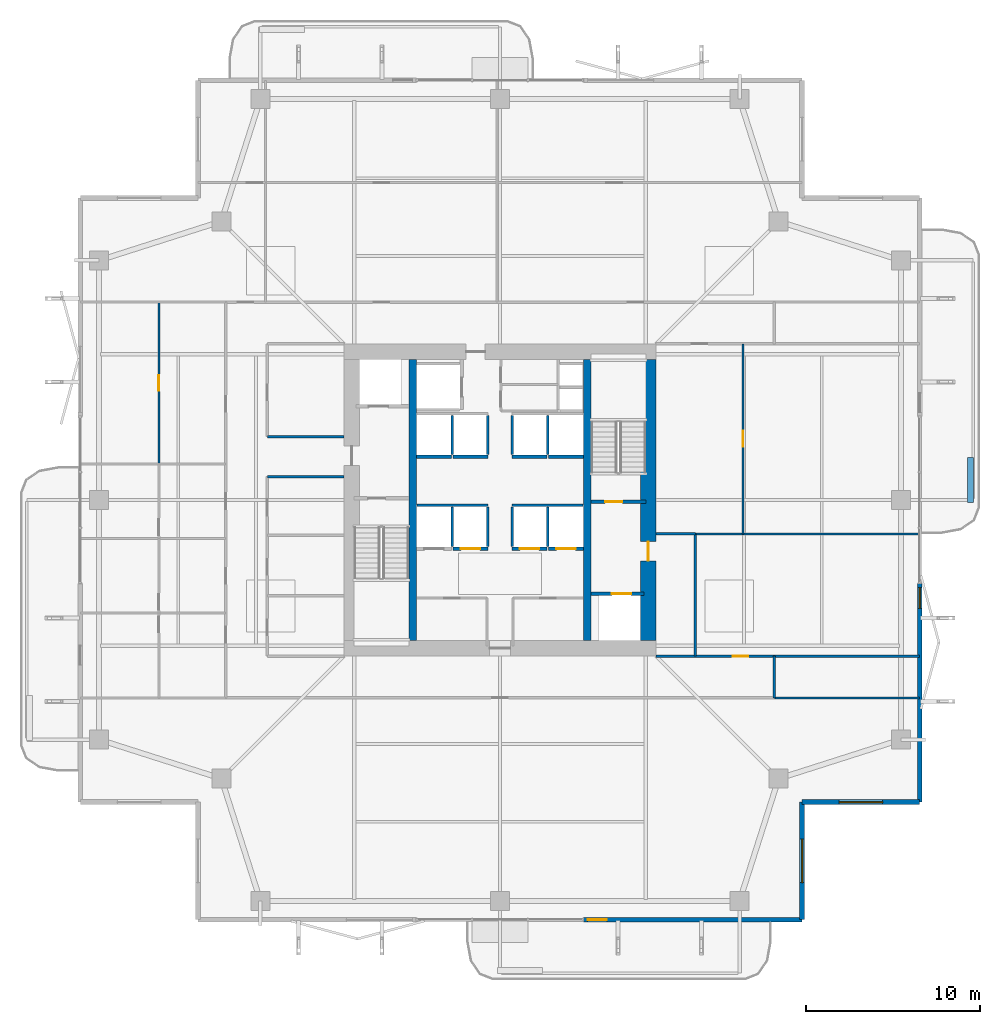
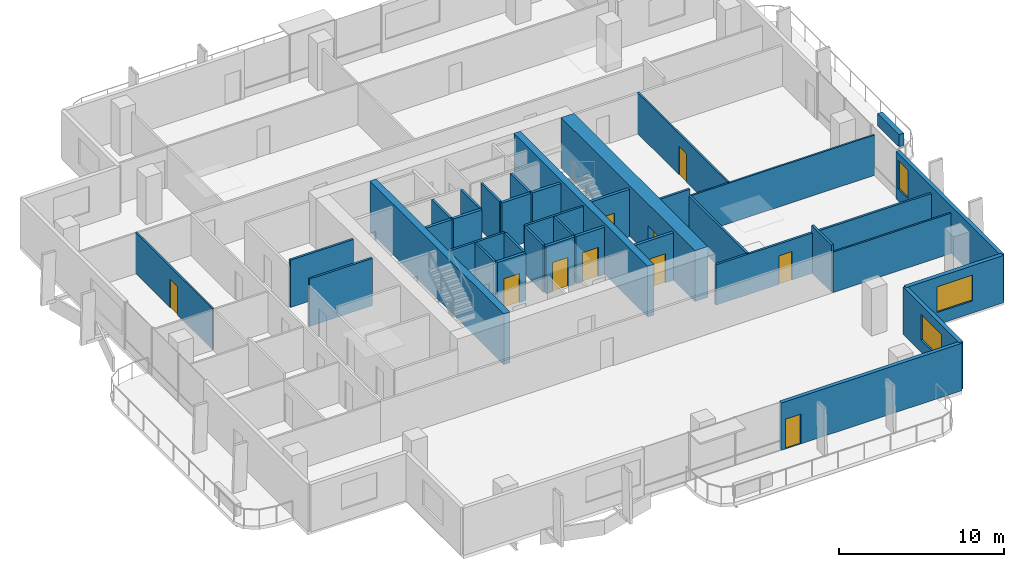
# One storey, part 19 of 25: 37 walls, 10 doors, 3 windows, 13 openings.
"""IFC4 building model written with IfcOpenShell, lengths in metres."""

from ifc_helpers import new_model, si_unit, direction, frame, frame_2d, origin, place, context, subcontext, project, spatial, rectangle, extrude, material, layer, layer_set, type_object, element, fill, save


model = new_model("IFC4")

# Units and contexts
model_context = context("Model", 3, precision=1e-05, world=origin(), true_north=direction((0.0, 1.0)))
body_context = subcontext(model_context, "Body", "Model", "MODEL_VIEW")
ifc_project = project(units=[si_unit("LENGTHUNIT", "METRE"), si_unit("AREAUNIT", "SQUARE_METRE"), si_unit("VOLUMEUNIT", "CUBIC_METRE"), si_unit("PLANEANGLEUNIT", "RADIAN"), si_unit("MASSUNIT", "GRAM", prefix="KILO")], contexts=[model_context])

# Site, building, storey
site_placement = place(None, origin())
site = spatial("IfcSite", under=ifc_project, at=site_placement, CompositionType="ELEMENT")
building_placement = place(site_placement, origin())
building = spatial("IfcBuilding", under=site, at=building_placement, Name="Belovzor Exchange Tower", CompositionType="ELEMENT")
storey_placement = place(building_placement, frame((0.0, 0.0, 153.300048828125)))
storey = spatial("IfcBuildingStorey", under=building, at=storey_placement, Name="L37", CompositionType="ELEMENT", Elevation=153.300048828125)

# Wall, opening, door
ifc_material_1 = material(Name="Acoustic Plasterboard on Galvanised Studs", Category="gypsum")
ifc_layer_1 = layer(ifc_material_1, 0.1201171875)
ifc_layer_set_1 = layer_set([ifc_layer_1], Name="Acoustic Plasterboard on Galvanised Studs")
wall_type_1 = type_object("IfcWallType", Name="Acoustic Double-Stud Partition Wall 120", PredefinedType="PARTITIONING", material=ifc_layer_set_1)
wall_1_placement = place(storey_placement, frame((9.14990234375, 30.876953125, 0.0), z_axis=(0.0, 0.0, 1.0), x_axis=(0.0, 1.0, 0.0)))
wall_1 = element("IfcWall", 1, at=wall_1_placement, inside=storey, type_object=wall_type_1, Name="W-P120 Partition Wall W-L37-WHDIV-3", PredefinedType="PARTITIONING", context=body_context, shape_type="SweptSolid", body=[
    extrude(rectangle(XDim=9.322998046875, YDim=0.1201171875, at=frame_2d((4.66162109375, 0.0))), origin(), (0.0, 0.0, 1.0), 3.030029296875),
])
opening_1_placement = place(wall_1_placement, frame((4.2119140625, 0.0, 0.0)))
opening_1 = element("IfcOpeningElement", 2, at=opening_1_placement, cuts=wall_1, Name="Opening D-INT-090", PredefinedType="OPENING", context=body_context, shape_type="SweptSolid", body=[
    extrude(rectangle(XDim=0.89990234375, YDim=2.10009765625, at=frame_2d((0.449951171875, 1.050048828125))), frame((0.0, 0.070068359375, 0.0), z_axis=(0.0, -1.0, 0.0), x_axis=(1.0, 0.0, 0.0)), (0.0, 0.0, 1.0), 0.14013671875),
])
ifc_material_2 = material(Name="Veneered Hardwood Acoustic Leaf", Category="wood")
door_type_1 = type_object("IfcDoorType", Name="Trading Suite Acoustic Single Door 900x2100", OperationType="NOTDEFINED", PredefinedType="DOOR", material=ifc_material_2)
door_1_placement = place(opening_1_placement, origin())
door_1 = element("IfcDoor", 3, at=door_1_placement, inside=storey, type_object=door_type_1, Name="D-INT-090 Trading Suite Acoustic Single Door 900x2100", OperationType="SINGLE_SWING_LEFT", OverallHeight=2.10009765625, OverallWidth=0.89990234375, PredefinedType="DOOR", context=body_context, shape_type="SweptSolid", body=[
    extrude(rectangle(XDim=0.89990234375, YDim=2.10009765625, at=frame_2d((0.449951171875, 1.050048828125))), frame((0.0, 0.02490234375, 0.0), z_axis=(0.0, -1.0, 0.0), x_axis=(1.0, 0.0, 0.0)), (0.0, 0.0, 1.0), 0.050048828125),
])
fill(opening_1, door_1)

# Wall
wall_2_placement = place(storey_placement, frame((40.050048828125, 26.85009765625, 0.0), z_axis=(0.0, 0.0, 1.0), x_axis=(1.0, 0.0, 0.0)))
element("IfcWall", 4, at=wall_2_placement, inside=storey, type_object=wall_type_1, Name="W-P120 Partition Wall W-L37-EDIV-1", PredefinedType="PARTITIONING", context=body_context, shape_type="SweptSolid", body=[
    extrude(rectangle(XDim=12.919921875, YDim=0.1201171875, at=frame_2d((6.4599609375, 0.0))), origin(), (0.0, 0.0, 1.0), 2.97998046875),
])

# Wall, opening, door
wall_3_placement = place(storey_placement, frame((42.800048828125, 26.85009765625, 0.0), z_axis=(0.0, 0.0, 1.0), x_axis=(0.0, 1.0, 0.0)))
wall_3 = element("IfcWall", 5, at=wall_3_placement, inside=storey, type_object=wall_type_1, Name="W-P120 Partition Wall W-L37-EDIV-2", PredefinedType="PARTITIONING", context=body_context, shape_type="SweptSolid", body=[
    extrude(rectangle(XDim=10.949951171875, YDim=0.1201171875, at=frame_2d((5.47509765625, 0.0))), origin(), (0.0, 0.0, 1.0), 3.030029296875),
])
opening_2_placement = place(wall_3_placement, frame((5.02490234375, 0.0, 0.0)))
opening_2 = element("IfcOpeningElement", 6, at=opening_2_placement, cuts=wall_3, Name="Opening D-INT-090", PredefinedType="OPENING", context=body_context, shape_type="SweptSolid", body=[
    extrude(rectangle(XDim=0.89990234375, YDim=2.10009765625, at=frame_2d((0.449951171875, 1.050048828125))), frame((0.0, 0.070068359375, 0.0), z_axis=(0.0, -1.0, 0.0), x_axis=(1.0, 0.0, 0.0)), (0.0, 0.0, 1.0), 0.14013671875),
])
door_2_placement = place(opening_2_placement, origin())
door_2 = element("IfcDoor", 7, at=door_2_placement, inside=storey, type_object=door_type_1, Name="D-INT-090 Trading Suite Acoustic Single Door 900x2100", OperationType="SINGLE_SWING_RIGHT", OverallHeight=2.10009765625, OverallWidth=0.89990234375, PredefinedType="DOOR", context=body_context, shape_type="SweptSolid", body=[
    extrude(rectangle(XDim=0.89990234375, YDim=2.10009765625, at=frame_2d((0.449951171875, 1.050048828125))), frame((0.0, 0.02490234375, 0.0), z_axis=(0.0, -1.0, 0.0), x_axis=(1.0, 0.0, 0.0)), (0.0, 0.0, 1.0), 0.050048828125),
])
fill(opening_2, door_2)

# Walls
wall_4_placement = place(storey_placement, frame((44.60009765625, 17.39990234375, 0.0), z_axis=(0.0, 0.0, 1.0), x_axis=(1.0, 0.0, 0.0)))
element("IfcWall", 8, at=wall_4_placement, inside=storey, type_object=wall_type_1, Name="W-P120 Partition Wall W-L37-END-SE", PredefinedType="PARTITIONING", context=body_context, shape_type="SweptSolid", body=[
    extrude(rectangle(XDim=8.369873046875, YDim=0.1201171875, at=frame_2d((4.18505859375, 0.0))), origin(), (0.0, 0.0, 1.0), 2.97998046875),
])
ifc_material_3 = material(Name="Fire-Rated Gypsum Block and Mineral Wool", Category="gypsum")
ifc_layer_2 = layer(ifc_material_3, 0.14990234375)
ifc_layer_set_2 = layer_set([ifc_layer_2], Name="Fire-Rated Gypsum Block and Mineral Wool")
wall_type_2 = type_object("IfcWallType", Name="Fire-Rated Gypsum Block Corridor Wall 150", PredefinedType="PARTITIONING", material=ifc_layer_set_2)
for number, where, z_axis, x_axis, name in (
    (9, (15.39990234375, 30.14990234375, 0.0), (0.0, 0.0, 1.0), (1.0, 0.0, 0.0), "W-P150 Partition Wall W-L37-WIC-N"),
    (10, (15.39990234375, 32.449951171875, 0.0), (0.0, 0.0, 1.0), (1.0, 0.0, 0.0), "W-P150 Partition Wall W-L37-CFW-N"),
):
    element("IfcWall", number, at=place(storey_placement, frame(where, z_axis=z_axis, x_axis=x_axis)), inside=storey, type_object=wall_type_2, Name=name, PredefinedType="PARTITIONING", context=body_context, shape_type="SweptSolid", body=[
        extrude(rectangle(XDim=4.400146484375, YDim=0.14990234375, at=frame_2d((2.2001953125, 0.0))), origin(), (0.0, 0.0, 1.0), 3.494873046875),
    ])
wall_5_placement = place(storey_placement, frame((37.800048828125, 26.85009765625, 0.0), z_axis=(0.0, 0.0, 1.0), x_axis=(1.0, 0.0, 0.0)))
element("IfcWall", 11, at=wall_5_placement, inside=storey, type_object=wall_type_2, Name="W-P150 Partition Wall W-L37-CFE-N", PredefinedType="PARTITIONING", context=body_context, shape_type="SweptSolid", body=[
    extrude(rectangle(XDim=2.25, YDim=0.14990234375, at=frame_2d((1.125, 0.0))), origin(), (0.0, 0.0, 1.0), 3.494873046875),
])
wall_6_placement = place(storey_placement, frame((40.050048828125, 19.800048828125, 0.0), z_axis=(0.0, 0.0, 1.0), x_axis=(0.0, 1.0, 0.0)))
element("IfcWall", 12, at=wall_6_placement, inside=storey, type_object=wall_type_2, Name="W-P150 Partition Wall W-L37-CFE-E", PredefinedType="PARTITIONING", context=body_context, shape_type="SweptSolid", body=[
    extrude(rectangle(XDim=7.050048828125, YDim=0.14990234375, at=frame_2d((3.52490234375, 0.0))), origin(), (0.0, 0.0, 1.0), 3.030029296875),
])
wall_7_placement = place(storey_placement, frame((44.60009765625, 17.39990234375, 0.0), z_axis=(0.0, 0.0, 1.0), x_axis=(0.0, 1.0, 0.0)))
element("IfcWall", 13, at=wall_7_placement, inside=storey, type_object=wall_type_2, Name="W-P150 Partition Wall W-L37-END-ES", PredefinedType="PARTITIONING", context=body_context, shape_type="SweptSolid", body=[
    extrude(rectangle(XDim=2.400146484375, YDim=0.14990234375, at=frame_2d((1.2001953125, 0.0))), origin(), (0.0, 0.0, 1.0), 3.494873046875),
])

# Wall, opening, door
wall_8_placement = place(storey_placement, frame((37.800048828125, 19.800048828125, 0.0), z_axis=(0.0, 0.0, 1.0), x_axis=(1.0, 0.0, 0.0)))
wall_8 = element("IfcWall", 14, at=wall_8_placement, inside=storey, type_object=wall_type_2, Name="W-P150 Partition Wall W-L37-CS-IN", PredefinedType="PARTITIONING", context=body_context, shape_type="SweptSolid", body=[
    extrude(rectangle(XDim=15.169921875, YDim=0.14990234375, at=frame_2d((7.5849609375, 0.0))), origin(), (0.0, 0.0, 1.0), 2.97998046875),
])
opening_3_placement = place(wall_8_placement, frame((4.39990234375, 0.0, 0.0)))
opening_3 = element("IfcOpeningElement", 15, at=opening_3_placement, cuts=wall_8, Name="Opening D-INT-090", PredefinedType="OPENING", context=body_context, shape_type="SweptSolid", body=[
    extrude(rectangle(XDim=0.89990234375, YDim=2.10009765625, at=frame_2d((0.449951171875, 1.050048828125))), frame((0.0, 0.0849609375, 0.0), z_axis=(0.0, -1.0, 0.0), x_axis=(1.0, 0.0, 0.0)), (0.0, 0.0, 1.0), 0.169921875),
])
door_3_placement = place(opening_3_placement, origin())
door_3 = element("IfcDoor", 16, at=door_3_placement, inside=storey, type_object=door_type_1, Name="D-INT-090 Trading Suite Acoustic Single Door 900x2100", OperationType="SINGLE_SWING_LEFT", OverallHeight=2.10009765625, OverallWidth=0.89990234375, PredefinedType="DOOR", context=body_context, shape_type="SweptSolid", body=[
    extrude(rectangle(XDim=0.89990234375, YDim=2.10009765625, at=frame_2d((0.449951171875, 1.050048828125))), frame((0.0, 0.02490234375, 0.0), z_axis=(0.0, -1.0, 0.0), x_axis=(1.0, 0.0, 0.0)), (0.0, 0.0, 1.0), 0.050048828125),
])
fill(opening_3, door_3)

# Wall, opening, window
ifc_material_4 = material(Name="Precast concrete C40/50", Category="concrete")
ifc_layer_3 = layer(ifc_material_4, 0.280029296875)
ifc_layer_set_3 = layer_set([ifc_layer_3], Name="Precast concrete C40/50")
wall_type_3 = type_object("IfcWallType", Name="Precast Concrete Notched Corner Frame Wall 280", PredefinedType="SOLIDWALL", material=ifc_layer_set_3)
wall_9_placement = place(storey_placement, frame((52.969970703125, 11.39990234375, 0.0), z_axis=(0.0, 0.0, 1.0), x_axis=(-1.0, 0.0, 0.0)))
wall_9 = element("IfcWall", 17, at=wall_9_placement, inside=storey, type_object=wall_type_3, Name="W-CRN280 Precast Concrete Notched Corner Frame Wall 280 L37", PredefinedType="SOLIDWALL", context=body_context, shape_type="SweptSolid", body=[
    extrude(rectangle(XDim=6.77001953125, YDim=0.280029296875, at=frame_2d((3.385009765625, 0.0))), origin(), (0.0, 0.0, 1.0), 3.494873046875),
])
opening_4_placement = place(wall_9_placement, frame((2.135009765625, 0.0, 0.89990234375)))
opening_4 = element("IfcOpeningElement", 18, at=opening_4_placement, cuts=wall_9, Name="Opening WN-CRN250", PredefinedType="OPENING", context=body_context, shape_type="SweptSolid", body=[
    extrude(rectangle(XDim=2.5, YDim=1.89990234375, at=frame_2d((1.25, 0.949951171875))), frame((0.0, 0.14990234375, 0.0), z_axis=(0.0, -1.0, 0.0), x_axis=(1.0, 0.0, 0.0)), (0.0, 0.0, 1.0), 0.300048828125),
])
ifc_material_5 = material(Name="Thermally Broken Aluminium and Triple Glazing", Category="aluminium")
window_type_1 = type_object("IfcWindowType", Name="Streamline Moderne Corner Wrap Ribbon Window 2500x1900", PartitioningType="SINGLE_PANEL", PredefinedType="WINDOW", material=ifc_material_5)
window_1_placement = place(opening_4_placement, origin())
window_1 = element("IfcWindow", 19, at=window_1_placement, inside=storey, type_object=window_type_1, Name="WN-CRN250 Streamline Moderne Corner Wrap Ribbon Window 2500x1900", OverallHeight=1.89990234375, OverallWidth=2.5, PartitioningType="SINGLE_PANEL", PredefinedType="WINDOW", context=body_context, shape_type="SweptSolid", body=[
    extrude(rectangle(XDim=2.5, YDim=1.89990234375, at=frame_2d((1.25, 0.949951171875))), frame((0.0, 0.030029296875, 0.0), z_axis=(0.0, -1.0, 0.0), x_axis=(1.0, 0.0, 0.0)), (0.0, 0.0, 1.0), 0.06005859375),
])
fill(opening_4, window_1)

wall_10_placement = place(storey_placement, frame((46.199951171875, 11.39990234375, 0.0), z_axis=(0.0, 0.0, 1.0), x_axis=(0.0, -1.0, 0.0)))
wall_10 = element("IfcWall", 20, at=wall_10_placement, inside=storey, type_object=wall_type_3, Name="W-CRN280 Precast Concrete Notched Corner Frame Wall 280 L37", PredefinedType="SOLIDWALL", context=body_context, shape_type="SweptSolid", body=[
    extrude(rectangle(XDim=6.77001953125, YDim=0.280029296875, at=frame_2d((3.385009765625, 0.0))), origin(), (0.0, 0.0, 1.0), 3.494873046875),
])
opening_5_placement = place(wall_10_placement, frame((2.135009765625, 0.0, 0.89990234375)))
opening_5 = element("IfcOpeningElement", 21, at=opening_5_placement, cuts=wall_10, Name="Opening WN-CRN250", PredefinedType="OPENING", context=body_context, shape_type="SweptSolid", body=[
    extrude(rectangle(XDim=2.5, YDim=1.89990234375, at=frame_2d((1.25, 0.949951171875))), frame((0.0, 0.14990234375, 0.0), z_axis=(0.0, -1.0, 0.0), x_axis=(1.0, 0.0, 0.0)), (0.0, 0.0, 1.0), 0.300048828125),
])
window_2_placement = place(opening_5_placement, origin())
window_2 = element("IfcWindow", 22, at=window_2_placement, inside=storey, type_object=window_type_1, Name="WN-CRN250 Streamline Moderne Corner Wrap Ribbon Window 2500x1900", OverallHeight=1.89990234375, OverallWidth=2.5, PartitioningType="SINGLE_PANEL", PredefinedType="WINDOW", context=body_context, shape_type="SweptSolid", body=[
    extrude(rectangle(XDim=2.5, YDim=1.89990234375, at=frame_2d((1.25, 0.949951171875))), frame((0.0, 0.030029296875, 0.0), z_axis=(0.0, -1.0, 0.0), x_axis=(1.0, 0.0, 0.0)), (0.0, 0.0, 1.0), 0.06005859375),
])
fill(opening_5, window_2)

# Wall, opening, door
ifc_material_6 = material(Name="Precast concrete C40/50", Category="concrete")
ifc_layer_4 = layer(ifc_material_6, 0.260009765625)
ifc_layer_set_4 = layer_set([ifc_layer_4], Name="Precast concrete C40/50")
wall_type_4 = type_object("IfcWallType", Name="Precast Concrete Perimeter Loggia Frame Wall 260", PredefinedType="SOLIDWALL", material=ifc_layer_set_4)
wall_11_placement = place(storey_placement, frame((46.199951171875, 4.6298828125, 0.0), z_axis=(0.0, 0.0, 1.0), x_axis=(-1.0, 0.0, 0.0)))
wall_11 = element("IfcWall", 23, at=wall_11_placement, inside=storey, type_object=wall_type_4, Name="W-EXT260 Precast Concrete Perimeter Loggia Frame Wall 260 L37", PredefinedType="SOLIDWALL", context=body_context, shape_type="SweptSolid", body=[
    extrude(rectangle(XDim=12.599853515625, YDim=0.260009765625, at=frame_2d((6.2998046875, 0.0))), origin(), (0.0, 0.0, 1.0), 3.494873046875),
])
opening_6_placement = place(wall_11_placement, frame((11.25, 0.0, 0.0)))
opening_6 = element("IfcOpeningElement", 24, at=opening_6_placement, cuts=wall_11, Name="Opening D-BAL110", PredefinedType="OPENING", context=body_context, shape_type="SweptSolid", body=[
    extrude(rectangle(XDim=1.10009765625, YDim=2.199951171875, at=frame_2d((0.550048828125, 1.10009765625))), frame((0.0, 0.139892578125, 0.0), z_axis=(0.0, -1.0, 0.0), x_axis=(1.0, 0.0, 0.0)), (0.0, 0.0, 1.0), 0.280029296875),
])
ifc_material_7 = material(Name="Thermally Broken Anodised Aluminium and Laminated Glass", Category="aluminium")
door_type_2 = type_object("IfcDoorType", Name="Planted Loggia Terrace Glazed Door 1100x2200", OperationType="SINGLE_SWING_LEFT", PredefinedType="DOOR", material=ifc_material_7)
door_4_placement = place(opening_6_placement, origin())
door_4 = element("IfcDoor", 25, at=door_4_placement, inside=storey, type_object=door_type_2, Name="D-BAL110 Balcony Terrace Door L37 S", OperationType="SINGLE_SWING_LEFT", OverallHeight=2.199951171875, OverallWidth=1.10009765625, PredefinedType="DOOR", context=body_context, shape_type="SweptSolid", body=[
    extrude(rectangle(XDim=1.10009765625, YDim=2.199951171875, at=frame_2d((0.550048828125, 1.10009765625))), frame((0.0, 0.02490234375, 0.0), z_axis=(0.0, -1.0, 0.0), x_axis=(1.0, 0.0, 0.0)), (0.0, 0.0, 1.0), 0.050048828125),
])
fill(opening_6, door_4)

# Wall, opening, window
wall_12_placement = place(storey_placement, frame((52.969970703125, 24.0, 0.0), z_axis=(0.0, 0.0, 1.0), x_axis=(0.0, -1.0, 0.0)))
wall_12 = element("IfcWall", 26, at=wall_12_placement, inside=storey, type_object=wall_type_4, Name="W-EXT260 Precast Concrete Perimeter Loggia Frame Wall 260 L37", PredefinedType="SOLIDWALL", context=body_context, shape_type="SweptSolid", body=[
    extrude(rectangle(XDim=12.60009765625, YDim=0.260009765625, at=frame_2d((6.300048828125, 0.0))), origin(), (0.0, 0.0, 1.0), 3.494873046875),
])
opening_7_placement = place(wall_12_placement, frame((0.25, 0.0, 0.89990234375)))
opening_7 = element("IfcOpeningElement", 27, at=opening_7_placement, cuts=wall_12, Name="Opening WN-CRN120", PredefinedType="OPENING", context=body_context, shape_type="SweptSolid", body=[
    extrude(rectangle(XDim=1.199951171875, YDim=2.10009765625, at=frame_2d((0.60009765625, 1.050048828125))), frame((0.0, 0.139892578125, 0.0), z_axis=(0.0, -1.0, 0.0), x_axis=(1.0, 0.0, 0.0)), (0.0, 0.0, 1.0), 0.280029296875),
])
ifc_material_8 = material(Name="Thermally Broken Aluminium and Triple Glazing", Category="aluminium")
window_type_2 = type_object("IfcWindowType", Name="Streamline Notched Corner Window 1200x2100", PartitioningType="SINGLE_PANEL", PredefinedType="WINDOW", material=ifc_material_8)
window_3_placement = place(opening_7_placement, origin())
window_3 = element("IfcWindow", 28, at=window_3_placement, inside=storey, type_object=window_type_2, Name="WN-CRN120 Streamline Notched Corner Window 1200x2100", OverallHeight=2.10009765625, OverallWidth=1.199951171875, PartitioningType="SINGLE_PANEL", PredefinedType="WINDOW", context=body_context, shape_type="SweptSolid", body=[
    extrude(rectangle(XDim=1.199951171875, YDim=2.10009765625, at=frame_2d((0.60009765625, 1.050048828125))), frame((0.0, 0.030029296875, 0.0), z_axis=(0.0, -1.0, 0.0), x_axis=(1.0, 0.0, 0.0)), (0.0, 0.0, 1.0), 0.06005859375),
])
fill(opening_7, window_3)

# Walls
ifc_material_9 = material(Name="Precast concrete C40/50", Category="concrete")
ifc_layer_5 = layer(ifc_material_9, 0.35009765625)
ifc_layer_set_5 = layer_set([ifc_layer_5], Name="Precast concrete C40/50")
wall_type_5 = type_object("IfcWallType", Name="Precast Concrete Structural Tree Planter Trough 350", PredefinedType="PARAPET", material=ifc_layer_set_5)
wall_13_placement = place(storey_placement, frame((55.89990234375, 28.64990234375, 0.0), z_axis=(0.0, 0.0, 1.0), x_axis=(0.0, 1.0, 0.0)))
element("IfcWall", 29, at=wall_13_placement, inside=storey, type_object=wall_type_5, Name="PT-350 Precast Concrete Structural Tree Planter Trough 350 L37", PredefinedType="PARAPET", context=body_context, shape_type="SweptSolid", body=[
    extrude(rectangle(XDim=2.60009765625, YDim=0.35009765625, at=frame_2d((1.300048828125, 0.0))), origin(), (0.0, 0.0, 1.0), 0.89990234375),
])
ifc_material_10 = material(Name="Concrete C50/60", Category="concrete")
ifc_layer_6 = layer(ifc_material_10, 0.449951171875)
ifc_layer_set_6 = layer_set([ifc_layer_6], Name="Concrete C50/60")
wall_type_6 = type_object("IfcWallType", Name="Reinforced Concrete Core Internal Web Wall 450", PredefinedType="SHEAR", material=ifc_layer_set_6)
for number, where, z_axis, x_axis, name in (
    (30, (23.77490234375, 20.699951171875, 0.0), (0.0, 0.0, 1.0), (0.0, 1.0, 0.0), "CW-W045 Core Internal Web Wall L37 WL"),
    (31, (33.824951171875, 20.699951171875, 0.0), (0.0, 0.0, 1.0), (0.0, 1.0, 0.0), "CW-W045 Core Internal Web Wall L37 ER"),
):
    element("IfcWall", number, at=place(storey_placement, frame(where, z_axis=z_axis, x_axis=x_axis)), inside=storey, type_object=wall_type_6, Name=name, PredefinedType="SHEAR", context=body_context, shape_type="SweptSolid", body=[
        extrude(rectangle(XDim=16.199951171875, YDim=0.449951171875, at=frame_2d((8.10009765625, 0.0))), origin(), (0.0, 0.0, 1.0), 3.75),
    ])
ifc_material_11 = material(Name="Concrete C50/60", Category="concrete")
ifc_layer_7 = layer(ifc_material_11, 0.14990234375)
ifc_layer_set_7 = layer_set([ifc_layer_7], Name="Concrete C50/60")
wall_type_7 = type_object("IfcWallType", Name="Reinforced Concrete Core Riser Shear Wall 150", PredefinedType="SHEAR", material=ifc_layer_set_7)
for number, where, z_axis, x_axis, name in (
    (32, (24.02001953125, 28.5, 0.0), (0.0, 0.0, 1.0), (1.0, 0.0, 0.0), "W-C150S Core Shaft Wall W-SHB-L37-PLM-NW"),
    (33, (29.5, 28.5, 0.0), (0.0, 0.0, 1.0), (1.0, 0.0, 0.0), "W-C150S Core Shaft Wall W-SHB-L37-PLM-NE"),
):
    element("IfcWall", number, at=place(storey_placement, frame(where, z_axis=z_axis, x_axis=x_axis)), inside=storey, type_object=wall_type_7, Name=name, PredefinedType="SHEAR", context=body_context, shape_type="SweptSolid", body=[
        extrude(rectangle(XDim=4.080078125, YDim=0.14990234375, at=frame_2d((2.0400390625, 0.0))), origin(), (0.0, 0.0, 1.0), 3.494873046875),
    ])
for number, where, z_axis, x_axis, name in (
    (34, (26.050048828125, 26.1201171875, 0.0), (0.0, 0.0, 1.0), (0.0, 1.0, 0.0), "W-C150S Core Shaft Wall W-SHD-L37-PLM-1"),
    (35, (28.10009765625, 26.1201171875, 0.0), (0.0, 0.0, 1.0), (0.0, 1.0, 0.0), "W-C150S Core Shaft Wall W-SHD-L37-PLM-2"),
    (36, (29.5, 26.1201171875, 0.0), (0.0, 0.0, 1.0), (0.0, 1.0, 0.0), "W-C150S Core Shaft Wall W-SHD-L37-PLM-3"),
    (37, (31.550048828125, 26.1201171875, 0.0), (0.0, 0.0, 1.0), (0.0, 1.0, 0.0), "W-C150S Core Shaft Wall W-SHD-L37-PLM-4"),
):
    element("IfcWall", number, at=place(storey_placement, frame(where, z_axis=z_axis, x_axis=x_axis)), inside=storey, type_object=wall_type_7, Name=name, PredefinedType="SHEAR", context=body_context, shape_type="SweptSolid", body=[
        extrude(rectangle(XDim=2.27978515625, YDim=0.14990234375, at=frame_2d((1.139892578125, 0.0))), origin(), (0.0, 0.0, 1.0), 3.494873046875),
    ])
for number, where, z_axis, x_axis, name in (
    (38, (26.050048828125, 31.419921875, 0.0), (0.0, 0.0, 1.0), (0.0, 1.0, 0.0), "W-C150S Core Shaft Wall W-SHD-L37-PLH-1"),
    (39, (28.10009765625, 31.419921875, 0.0), (0.0, 0.0, 1.0), (0.0, 1.0, 0.0), "W-C150S Core Shaft Wall W-SHD-L37-PLH-2"),
    (40, (29.5, 31.419921875, 0.0), (0.0, 0.0, 1.0), (0.0, 1.0, 0.0), "W-C150S Core Shaft Wall W-SHD-L37-PLH-3"),
    (41, (31.550048828125, 31.419921875, 0.0), (0.0, 0.0, 1.0), (0.0, 1.0, 0.0), "W-C150S Core Shaft Wall W-SHD-L37-PLH-4"),
):
    element("IfcWall", number, at=place(storey_placement, frame(where, z_axis=z_axis, x_axis=x_axis)), inside=storey, type_object=wall_type_7, Name=name, PredefinedType="SHEAR", context=body_context, shape_type="SweptSolid", body=[
        extrude(rectangle(XDim=2.239990234375, YDim=0.14990234375, at=frame_2d((1.1201171875, 0.0))), origin(), (0.0, 0.0, 1.0), 3.494873046875),
    ])

# Wall, opening, door
ifc_material_12 = material(Name="Concrete C50/60", Category="concrete")
ifc_layer_8 = layer(ifc_material_12, 0.199951171875)
ifc_layer_set_8 = layer_set([ifc_layer_8], Name="Concrete C50/60")
wall_type_8 = type_object("IfcWallType", Name="Reinforced Concrete Core Shaft Shear Wall 200", PredefinedType="SHEAR", material=ifc_layer_set_8)
wall_14_placement = place(storey_placement, frame((34.050048828125, 28.699951171875, 0.0), z_axis=(0.0, 0.0, 1.0), x_axis=(1.0, 0.0, 0.0)))
wall_14 = element("IfcWall", 42, at=wall_14_placement, inside=storey, type_object=wall_type_8, Name="W-C200S Core Shaft Wall W-CORE-L37-FFLE2", PredefinedType="SHEAR", context=body_context, shape_type="SweptSolid", body=[
    extrude(rectangle(XDim=3.14990234375, YDim=0.199951171875, at=frame_2d((1.574951171875, 0.0))), origin(), (0.0, 0.0, 1.0), 3.494873046875),
])
opening_8_placement = place(wall_14_placement, frame((0.800048828125, 0.0, 0.0)))
opening_8 = element("IfcOpeningElement", 43, at=opening_8_placement, cuts=wall_14, Name="Opening D-FD90-100", PredefinedType="OPENING", context=body_context, shape_type="SweptSolid", body=[
    extrude(rectangle(XDim=1.0, YDim=2.10009765625, at=frame_2d((0.5, 1.050048828125))), frame((0.0, 0.10986328125, 0.0), z_axis=(0.0, -1.0, 0.0), x_axis=(1.0, 0.0, 0.0)), (0.0, 0.0, 1.0), 0.219970703125),
])
ifc_material_13 = material(Name="Fire-Rated Galvanised Steel Leaf", Category="steel")
door_type_3 = type_object("IfcDoorType", Name="Protected Stairwell Single Fire Door 1000x2100", OperationType="NOTDEFINED", PredefinedType="DOOR", material=ifc_material_13)
door_5_placement = place(opening_8_placement, origin())
door_5 = element("IfcDoor", 44, at=door_5_placement, inside=storey, type_object=door_type_3, Name="D-FD90-100 Protected Stairwell Single Fire Door 1000x2100", OperationType="SINGLE_SWING_LEFT", OverallHeight=2.10009765625, OverallWidth=1.0, PredefinedType="DOOR", context=body_context, shape_type="SweptSolid", body=[
    extrude(rectangle(XDim=1.0, YDim=2.10009765625, at=frame_2d((0.5, 1.050048828125))), frame((0.0, 0.02490234375, 0.0), z_axis=(0.0, -1.0, 0.0), x_axis=(1.0, 0.0, 0.0)), (0.0, 0.0, 1.0), 0.050048828125),
])
fill(opening_8, door_5)

wall_15_placement = place(storey_placement, frame((34.050048828125, 23.39990234375, 0.0), z_axis=(0.0, 0.0, 1.0), x_axis=(1.0, 0.0, 0.0)))
wall_15 = element("IfcWall", 45, at=wall_15_placement, inside=storey, type_object=wall_type_8, Name="W-C200S Core Shaft Wall W-SH-L37-FFL-02", PredefinedType="SHEAR", context=body_context, shape_type="SweptSolid", body=[
    extrude(rectangle(XDim=3.050048828125, YDim=0.199951171875, at=frame_2d((1.52490234375, 0.0))), origin(), (0.0, 0.0, 1.0), 3.494873046875),
])
opening_9_placement = place(wall_15_placement, frame((1.199951171875, 0.0, 0.0)))
opening_9 = element("IfcOpeningElement", 46, at=opening_9_placement, cuts=wall_15, Name="Opening LD-110", PredefinedType="OPENING", context=body_context, shape_type="SweptSolid", body=[
    extrude(rectangle(XDim=1.10009765625, YDim=2.14990234375, at=frame_2d((0.550048828125, 1.074951171875))), frame((0.0, 0.10986328125, 0.0), z_axis=(0.0, -1.0, 0.0), x_axis=(1.0, 0.0, 0.0)), (0.0, 0.0, 1.0), 0.219970703125),
])
ifc_material_14 = material(Name="Stainless Steel Grade 304", Category="steel")
door_type_4 = type_object("IfcDoorType", Name="Automated Stainless Steel Lift Landing Door 1100x2150", OperationType="SLIDING_TO_RIGHT", PredefinedType="DOOR", material=ifc_material_14)
door_6_placement = place(opening_9_placement, origin())
door_6 = element("IfcDoor", 47, at=door_6_placement, inside=storey, type_object=door_type_4, Name="LD-110 Automated Stainless Steel Lift Landing Door 1100x2150", OperationType="SLIDING_TO_RIGHT", OverallHeight=2.14990234375, OverallWidth=1.10009765625, PredefinedType="DOOR", context=body_context, shape_type="SweptSolid", body=[
    extrude(rectangle(XDim=1.10009765625, YDim=2.14990234375, at=frame_2d((0.550048828125, 1.074951171875))), frame((0.0, 0.02490234375, 0.0), z_axis=(0.0, -1.0, 0.0), x_axis=(1.0, 0.0, 0.0)), (0.0, 0.0, 1.0), 0.050048828125),
])
fill(opening_9, door_6)

wall_16_placement = place(storey_placement, frame((26.10009765625, 26.0, 0.0), z_axis=(0.0, 0.0, 1.0), x_axis=(1.0, 0.0, 0.0)))
wall_16 = element("IfcWall", 48, at=wall_16_placement, inside=storey, type_object=wall_type_8, Name="W-C200S Core Shaft Wall W-SH-L37-PL-M2", PredefinedType="SHEAR", context=body_context, shape_type="SweptSolid", body=[
    extrude(rectangle(XDim=2.0, YDim=0.199951171875, at=frame_2d((1.0, 0.0))), origin(), (0.0, 0.0, 1.0), 3.494873046875),
])
opening_10_placement = place(wall_16_placement, frame((0.449951171875, 0.0, 0.0)))
opening_10 = element("IfcOpeningElement", 49, at=opening_10_placement, cuts=wall_16, Name="Opening LD-110", PredefinedType="OPENING", context=body_context, shape_type="SweptSolid", body=[
    extrude(rectangle(XDim=1.10009765625, YDim=2.14990234375, at=frame_2d((0.550048828125, 1.074951171875))), frame((0.0, 0.10986328125, 0.0), z_axis=(0.0, -1.0, 0.0), x_axis=(1.0, 0.0, 0.0)), (0.0, 0.0, 1.0), 0.219970703125),
])
door_7_placement = place(opening_10_placement, origin())
door_7 = element("IfcDoor", 50, at=door_7_placement, inside=storey, type_object=door_type_4, Name="LD-110 Automated Stainless Steel Lift Landing Door 1100x2150", OperationType="SLIDING_TO_RIGHT", OverallHeight=2.14990234375, OverallWidth=1.10009765625, PredefinedType="DOOR", context=body_context, shape_type="SweptSolid", body=[
    extrude(rectangle(XDim=1.10009765625, YDim=2.14990234375, at=frame_2d((0.550048828125, 1.074951171875))), frame((0.0, 0.02490234375, 0.0), z_axis=(0.0, -1.0, 0.0), x_axis=(1.0, 0.0, 0.0)), (0.0, 0.0, 1.0), 0.050048828125),
])
fill(opening_10, door_7)

wall_17_placement = place(storey_placement, frame((29.5, 26.0, 0.0), z_axis=(0.0, 0.0, 1.0), x_axis=(1.0, 0.0, 0.0)))
wall_17 = element("IfcWall", 51, at=wall_17_placement, inside=storey, type_object=wall_type_8, Name="W-C200S Core Shaft Wall W-SH-L37-PL-M3", PredefinedType="SHEAR", context=body_context, shape_type="SweptSolid", body=[
    extrude(rectangle(XDim=2.0, YDim=0.199951171875, at=frame_2d((1.0, 0.0))), origin(), (0.0, 0.0, 1.0), 3.494873046875),
])
opening_11_placement = place(wall_17_placement, frame((0.449951171875, 0.0, 0.0)))
opening_11 = element("IfcOpeningElement", 52, at=opening_11_placement, cuts=wall_17, Name="Opening LD-110", PredefinedType="OPENING", context=body_context, shape_type="SweptSolid", body=[
    extrude(rectangle(XDim=1.10009765625, YDim=2.14990234375, at=frame_2d((0.550048828125, 1.074951171875))), frame((0.0, 0.10986328125, 0.0), z_axis=(0.0, -1.0, 0.0), x_axis=(1.0, 0.0, 0.0)), (0.0, 0.0, 1.0), 0.219970703125),
])
door_8_placement = place(opening_11_placement, origin())
door_8 = element("IfcDoor", 53, at=door_8_placement, inside=storey, type_object=door_type_4, Name="LD-110 Automated Stainless Steel Lift Landing Door 1100x2150", OperationType="SLIDING_TO_RIGHT", OverallHeight=2.14990234375, OverallWidth=1.10009765625, PredefinedType="DOOR", context=body_context, shape_type="SweptSolid", body=[
    extrude(rectangle(XDim=1.10009765625, YDim=2.14990234375, at=frame_2d((0.550048828125, 1.074951171875))), frame((0.0, 0.02490234375, 0.0), z_axis=(0.0, -1.0, 0.0), x_axis=(1.0, 0.0, 0.0)), (0.0, 0.0, 1.0), 0.050048828125),
])
fill(opening_11, door_8)

wall_18_placement = place(storey_placement, frame((31.60009765625, 26.0, 0.0), z_axis=(0.0, 0.0, 1.0), x_axis=(1.0, 0.0, 0.0)))
wall_18 = element("IfcWall", 54, at=wall_18_placement, inside=storey, type_object=wall_type_8, Name="W-C200S Core Shaft Wall W-SH-L37-PL-M4", PredefinedType="SHEAR", context=body_context, shape_type="SweptSolid", body=[
    extrude(rectangle(XDim=2.0, YDim=0.199951171875, at=frame_2d((1.0, 0.0))), origin(), (0.0, 0.0, 1.0), 3.494873046875),
])
opening_12_placement = place(wall_18_placement, frame((0.449951171875, 0.0, 0.0)))
opening_12 = element("IfcOpeningElement", 55, at=opening_12_placement, cuts=wall_18, Name="Opening LD-110", PredefinedType="OPENING", context=body_context, shape_type="SweptSolid", body=[
    extrude(rectangle(XDim=1.10009765625, YDim=2.14990234375, at=frame_2d((0.550048828125, 1.074951171875))), frame((0.0, 0.10986328125, 0.0), z_axis=(0.0, -1.0, 0.0), x_axis=(1.0, 0.0, 0.0)), (0.0, 0.0, 1.0), 0.219970703125),
])
door_9_placement = place(opening_12_placement, origin())
door_9 = element("IfcDoor", 56, at=door_9_placement, inside=storey, type_object=door_type_4, Name="LD-110 Automated Stainless Steel Lift Landing Door 1100x2150", OperationType="SLIDING_TO_RIGHT", OverallHeight=2.14990234375, OverallWidth=1.10009765625, PredefinedType="DOOR", context=body_context, shape_type="SweptSolid", body=[
    extrude(rectangle(XDim=1.10009765625, YDim=2.14990234375, at=frame_2d((0.550048828125, 1.074951171875))), frame((0.0, 0.02490234375, 0.0), z_axis=(0.0, -1.0, 0.0), x_axis=(1.0, 0.0, 0.0)), (0.0, 0.0, 1.0), 0.050048828125),
])
fill(opening_12, door_9)

# Walls
for number, where, z_axis, x_axis, name in (
    (57, (24.0, 31.300048828125, 0.0), (0.0, 0.0, 1.0), (1.0, 0.0, 0.0), "W-C200S Core Shaft Wall W-SH-L37-PL-H1"),
    (58, (26.10009765625, 31.300048828125, 0.0), (0.0, 0.0, 1.0), (1.0, 0.0, 0.0), "W-C200S Core Shaft Wall W-SH-L37-PL-H2"),
    (59, (29.5, 31.300048828125, 0.0), (0.0, 0.0, 1.0), (1.0, 0.0, 0.0), "W-C200S Core Shaft Wall W-SH-L37-PL-H3"),
    (60, (31.60009765625, 31.300048828125, 0.0), (0.0, 0.0, 1.0), (1.0, 0.0, 0.0), "W-C200S Core Shaft Wall W-SH-L37-PL-H4"),
):
    element("IfcWall", number, at=place(storey_placement, frame(where, z_axis=z_axis, x_axis=x_axis)), inside=storey, type_object=wall_type_8, Name=name, PredefinedType="SHEAR", context=body_context, shape_type="SweptSolid", body=[
        extrude(rectangle(XDim=2.0, YDim=0.199951171875, at=frame_2d((1.0, 0.0))), origin(), (0.0, 0.0, 1.0), 3.494873046875),
    ])

# Wall, opening, door
ifc_material_15 = material(Name="Concrete C60/75", Category="concrete")
ifc_layer_9 = layer(ifc_material_15, 0.89990234375)
ifc_layer_set_9 = layer_set([ifc_layer_9], Name="Concrete C60/75")
wall_type_9 = type_object("IfcWallType", Name="Reinforced Concrete Core Shear Wall 900", PredefinedType="SHEAR", material=ifc_layer_set_9)
wall_19_placement = place(storey_placement, frame((37.35009765625, 20.699951171875, 0.0), z_axis=(0.0, 0.0, 1.0), x_axis=(0.0, 1.0, 0.0)))
wall_19 = element("IfcWall", 61, at=wall_19_placement, inside=storey, type_object=wall_type_9, Name="CW-S090 Core Shear Wall L37 E", PredefinedType="SHEAR", context=body_context, shape_type="SweptSolid", body=[
    extrude(rectangle(XDim=16.199951171875, YDim=0.89990234375, at=frame_2d((8.10009765625, 0.0))), origin(), (0.0, 0.0, 1.0), 3.75),
])
opening_13_placement = place(wall_19_placement, frame((4.60009765625, 0.0, 0.0)))
opening_13 = element("IfcOpeningElement", 62, at=opening_13_placement, cuts=wall_19, Name="Opening D-FD90-110", PredefinedType="OPENING", context=body_context, shape_type="SweptSolid", body=[
    extrude(rectangle(XDim=1.10009765625, YDim=2.14990234375, at=frame_2d((0.550048828125, 1.074951171875))), frame((0.0, 0.4599609375, 0.0), z_axis=(0.0, -1.0, 0.0), x_axis=(1.0, 0.0, 0.0)), (0.0, 0.0, 1.0), 0.919921875),
])
ifc_material_16 = material(Name="Fire-Rated Galvanised Steel Leaf", Category="steel")
door_type_5 = type_object("IfcDoorType", Name="Protected Escape Vestibule Fire Door 1100x2150", OperationType="NOTDEFINED", PredefinedType="DOOR", material=ifc_material_16)
door_10_placement = place(opening_13_placement, origin())
door_10 = element("IfcDoor", 63, at=door_10_placement, inside=storey, type_object=door_type_5, Name="D-FD90-110 Protected Escape Vestibule Fire Door 1100x2150", OperationType="SINGLE_SWING_RIGHT", OverallHeight=2.14990234375, OverallWidth=1.10009765625, PredefinedType="DOOR", context=body_context, shape_type="SweptSolid", body=[
    extrude(rectangle(XDim=1.10009765625, YDim=2.14990234375, at=frame_2d((0.550048828125, 1.074951171875))), frame((0.0, 0.02490234375, 0.0), z_axis=(0.0, -1.0, 0.0), x_axis=(1.0, 0.0, 0.0)), (0.0, 0.0, 1.0), 0.050048828125),
])
fill(opening_13, door_10)

save(model, "model.ifc")
